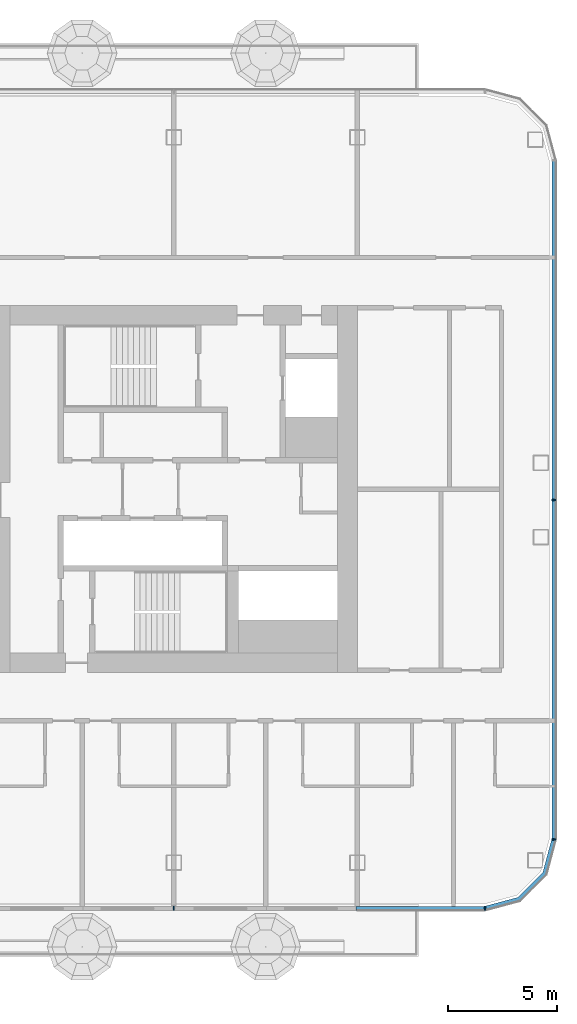
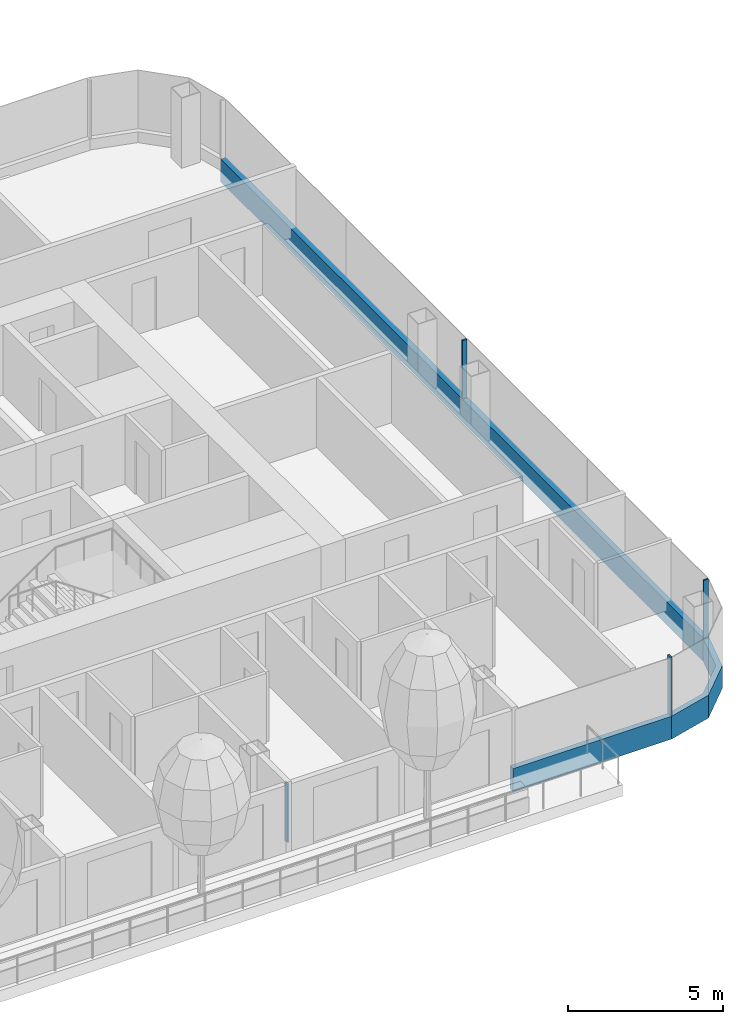
# One storey, part 6 of 32: 7 members, 3 elements without a shape of their own.
"""IFC4 building model written with IfcOpenShell, lengths in metres."""

from ifc_helpers import new_model, si_unit, direction, frame, origin, origin_2d, place, context, subcontext, project, spatial, polyline, rectangle, outline, extrude, material, layer, layer_set, material_profile, profile_set, type_object, element, aggregate, save


model = new_model("IFC4")

# Units and contexts
model_context = context("Model", 3, precision=1e-05, world=origin(), true_north=direction((0.0, 1.0)))
body_context = subcontext(model_context, "Body", "Model", "MODEL_VIEW")
ifc_project = project(units=[si_unit("LENGTHUNIT", "METRE"), si_unit("AREAUNIT", "SQUARE_METRE"), si_unit("VOLUMEUNIT", "CUBIC_METRE"), si_unit("PLANEANGLEUNIT", "RADIAN"), si_unit("MASSUNIT", "GRAM", prefix="KILO")], contexts=[model_context])

# Site, building, storey
site_placement = place(None, origin())
site = spatial("IfcSite", under=ifc_project, at=site_placement, CompositionType="ELEMENT")
building_placement = place(site_placement, origin())
building = spatial("IfcBuilding", under=site, at=building_placement, Name="Hakoniwa Tower and Hamabe Station Hall", CompositionType="ELEMENT")
storey_placement = place(building_placement, frame((0.0, 0.0, 150.199951171875)))
storey = spatial("IfcBuildingStorey", under=building, at=storey_placement, Name="L42", CompositionType="ELEMENT", Elevation=150.199951171875)

# Curtain wall, member
ifc_material_1 = material(Name="Dark low-e laminated glass", Category="glass")
ifc_layer = layer(ifc_material_1, 0.199951171875)
ifc_layer_set = layer_set([ifc_layer], Name="CW-1 UNITISED GUEST")
curtain_wall_type = type_object("IfcCurtainWallType", Name="CW-1 UNITISED GUEST", PredefinedType="NOTDEFINED", material=ifc_layer_set)
curtain_wall_1_placement = place(storey_placement, origin())
curtain_wall_1 = element("IfcCurtainWall", 1, at=curtain_wall_1_placement, inside=storey, type_object=curtain_wall_type, Name="CW-1 curtain wall", PredefinedType="NOTDEFINED")
ifc_material_2 = material(Name="Aluminium 6063-T5 black anodised", Category="aluminium")
ifc_material_profile_1 = material_profile(ifc_material_2, rectangle(XDim=0.199951171875, YDim=0.89990234375, at=origin_2d()), Name="CW SLAB-EDGE BAND 900X200")
ifc_profile_set_1 = profile_set([ifc_material_profile_1], Name="Aluminium 6063-T5 black anodised")
member_type_1 = type_object("IfcMemberType", Name="CW SLAB-EDGE BAND 900X200", PredefinedType="USERDEFINED", material=ifc_profile_set_1)
member_1_placement = place(storey_placement, frame((42.60009765625, -16.03955078125, -0.099853515625), z_axis=(0.0, 1.0, 0.0), x_axis=(-1.0, 0.0, 0.0)))
member_1 = element("IfcMember", 2, at=member_1_placement, type_object=member_type_1, Name="CW-1 transom", ObjectType="TRANSOM", PredefinedType="USERDEFINED", context=body_context, shape_type="SweptSolid", body=[
    extrude(rectangle(XDim=0.199951171875, YDim=0.89990234375, at=origin_2d()), origin(), (0.0, 0.0, 1.0), 31.0791015625),
])

curtain_wall_2_placement = place(storey_placement, origin())
curtain_wall_2 = element("IfcCurtainWall", 3, at=curtain_wall_2_placement, inside=storey, type_object=curtain_wall_type, Name="CW-1 curtain wall", PredefinedType="NOTDEFINED")
member_2_placement = place(storey_placement, frame((33.5400390625, -19.199951171875, -0.099853515625), z_axis=(1.0, 0.0, 0.0), x_axis=(0.0, 1.0, 0.0)))
member_2 = element("IfcMember", 4, at=member_2_placement, type_object=member_type_1, Name="CW-1 transom", ObjectType="TRANSOM", PredefinedType="USERDEFINED", context=body_context, shape_type="SweptSolid", body=[
    extrude(rectangle(XDim=0.199951171875, YDim=0.89990234375, at=origin_2d()), origin(), (0.0, 0.0, 1.0), 5.8994140625),
])

curtain_wall_3_placement = place(storey_placement, origin())
curtain_wall_3 = element("IfcCurtainWall", 5, at=curtain_wall_3_placement, inside=storey, type_object=curtain_wall_type, Name="CW-1 curtain wall", PredefinedType="NOTDEFINED")
member_3_placement = place(storey_placement, frame((0.0, 0.0, -0.550048828125)))
member_3 = element("IfcMember", 6, at=member_3_placement, type_object=member_type_1, Name="CW-1 transom", ObjectType="TRANSOM", PredefinedType="USERDEFINED", context=body_context, shape_type="SweptSolid", body=[
    extrude(outline(polyline([(39.439453125, -19.300048828125), (41.05517578125, -18.866943359375), (42.26708984375, -17.6552734375), (42.699951171875, -16.03955078125), (42.5068359375, -15.98779296875), (42.087646484375, -17.5517578125), (40.95166015625, -18.687744140625), (39.3876953125, -19.10693359375), (39.439453125, -19.300048828125)])), origin(), (0.0, 0.0, 1.0), 0.900146484375),
])
aggregate(curtain_wall_3, [member_3])

# Member
ifc_material_3 = material(Name="Aluminium 6063-T5 black anodised", Category="aluminium")
ifc_material_profile_2 = material_profile(ifc_material_3, rectangle(XDim=0.06005859375, YDim=0.179931640625, at=origin_2d()), Name="CW-1 MULLION 60X180")
ifc_profile_set_2 = profile_set([ifc_material_profile_2], Name="Aluminium 6063-T5 black anodised")
member_type_2 = type_object("IfcMemberType", Name="CW-1 MULLION 60X180", PredefinedType="MULLION", material=ifc_profile_set_2)
member_4_placement = place(storey_placement, frame((42.58203125, -16.03955078125, 0.35009765625), z_axis=(0.0, 0.0, 1.0), x_axis=(0.0, 1.0, 0.0)))
member_4 = element("IfcMember", 7, at=member_4_placement, type_object=member_type_2, Name="CW-1 mullion", PredefinedType="MULLION", context=body_context, shape_type="SweptSolid", body=[
    extrude(rectangle(XDim=0.06005859375, YDim=0.179931640625, at=origin_2d()), origin(), (0.0, 0.0, 1.0), 2.300048828125),
])

member_5_placement = place(storey_placement, frame((42.58203125, -0.5, 0.35009765625), z_axis=(0.0, 0.0, 1.0), x_axis=(0.0, 1.0, 0.0)))
member_5 = element("IfcMember", 8, at=member_5_placement, type_object=member_type_2, Name="CW-1 mullion", PredefinedType="MULLION", context=body_context, shape_type="SweptSolid", body=[
    extrude(rectangle(XDim=0.06005859375, YDim=0.179931640625, at=origin_2d()), origin(), (0.0, 0.0, 1.0), 2.300048828125),
])

aggregate(curtain_wall_1, [member_4, member_5, member_1])

member_6_placement = place(storey_placement, frame((25.199951171875, -19.181884765625, 0.35009765625), z_axis=(0.0, 0.0, 1.0), x_axis=(1.0, 0.0, 0.0)))
member_6 = element("IfcMember", 9, at=member_6_placement, type_object=member_type_2, Name="CW-1 mullion", PredefinedType="MULLION", context=body_context, shape_type="SweptSolid", body=[
    extrude(rectangle(XDim=0.06005859375, YDim=0.179931640625, at=origin_2d()), origin(), (0.0, 0.0, 1.0), 2.300048828125),
])

member_7_placement = place(storey_placement, frame((39.439453125, -19.181884765625, 0.35009765625), z_axis=(0.0, 0.0, 1.0), x_axis=(1.0, 0.0, 0.0)))
member_7 = element("IfcMember", 10, at=member_7_placement, type_object=member_type_2, Name="CW-1 mullion", PredefinedType="MULLION", context=body_context, shape_type="SweptSolid", body=[
    extrude(rectangle(XDim=0.06005859375, YDim=0.179931640625, at=origin_2d()), origin(), (0.0, 0.0, 1.0), 2.300048828125),
])

aggregate(curtain_wall_2, [member_6, member_7, member_2])

save(model, "model.ifc")
